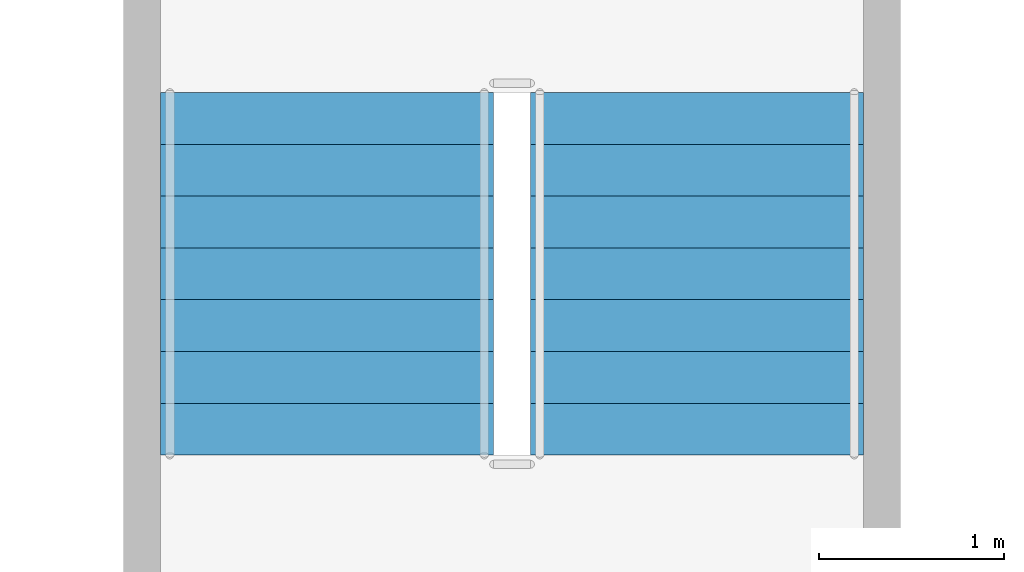
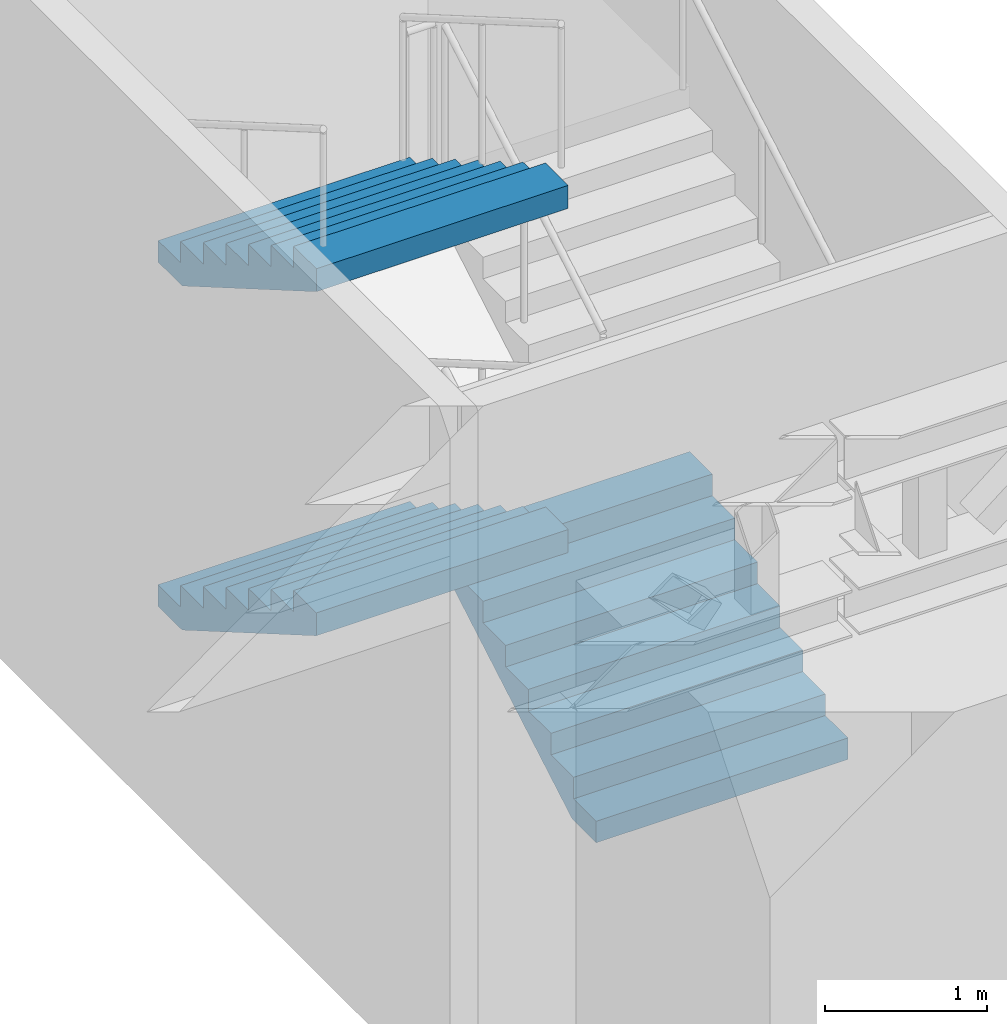
# One storey, part 74 of 93: 3 stair flights, 1 element without a shape of its own.
"""IFC4 building model written with IfcOpenShell, lengths in metres."""

from ifc_helpers import new_model, si_unit, direction, frame, origin, place, context, subcontext, project, spatial, polygons, material, type_object, element, aggregate, save


model = new_model("IFC4")

# Units and contexts
model_context = context("Model", 3, precision=1e-05, world=origin(), true_north=direction((0.0, 1.0)))
body_context = subcontext(model_context, "Body", "Model", "MODEL_VIEW")
ifc_project = project(units=[si_unit("LENGTHUNIT", "METRE"), si_unit("AREAUNIT", "SQUARE_METRE"), si_unit("VOLUMEUNIT", "CUBIC_METRE"), si_unit("PLANEANGLEUNIT", "RADIAN"), si_unit("MASSUNIT", "GRAM", prefix="KILO")], contexts=[model_context])

# Site, building, storey
site_placement = place(None, origin())
site = spatial("IfcSite", under=ifc_project, at=site_placement, CompositionType="ELEMENT")
building_placement = place(site_placement, origin())
building = spatial("IfcBuilding", under=site, at=building_placement, Name="Verrick Yard Athletic Hall", CompositionType="ELEMENT")
storey_placement = place(building_placement, frame((0.0, 0.0, 8.800048828125)))
storey = spatial("IfcBuildingStorey", under=building, at=storey_placement, Name="L02", CompositionType="ELEMENT", Elevation=8.800048828125)

# Stair, stair flights
ifc_material = material(Name="Concrete 35 MPa", Category="concrete")
stair_type = type_object("IfcStairType", Name="Stair ST4 1800 wide 32 risers", PredefinedType="HALF_TURN_STAIR", material=ifc_material)
stair_placement = place(storey_placement, origin())
stair = element("IfcStair", 1, at=stair_placement, inside=storey, type_object=stair_type, Name="North deck escape 2 stair L02", PredefinedType="HALF_TURN_STAIR")
stair_flight_type = type_object("IfcStairFlightType", Name="Stair flight SF4 1800 wide 8 risers", PredefinedType="STRAIGHT", material=ifc_material)
stair_flight_1_placement = place(storey_placement, frame((108.199951171875, 56.0, 0.0), z_axis=(0.0, 0.0, 1.0), x_axis=(0.0, 1.0, 0.0)))
stair_flight_1 = element("IfcStairFlight", 2, at=stair_flight_1_placement, type_object=stair_flight_type, Name="ST4 flight 1", NumberOfRisers=8, NumberOfTreads=7, PredefinedType="STRAIGHT", RiserHeight=0.1625, TreadLength=0.28, context=body_context, shape_type="Tessellation", body=[
    polygons([(0.2986404620805121, -0.89990234375, 0.0), (1.9600000000000002, -0.89990234375, 0.9641818746854172), (1.9600000000000002, -0.89990234375, 1.1375), (1.6800000000000002, -0.89990234375, 1.1375), (1.6800000000000002, -0.89990234375, 0.9750000000000001), (1.4000000000000001, -0.89990234375, 0.9750000000000001), (1.4000000000000001, -0.89990234375, 0.8125), (1.12, -0.89990234375, 0.8125), (1.12, -0.89990234375, 0.65), (0.8400000000000001, -0.89990234375, 0.65), (0.8400000000000001, -0.89990234375, 0.48750000000000004), (0.56, -0.89990234375, 0.48750000000000004), (0.56, -0.89990234375, 0.325), (0.28, -0.89990234375, 0.325), (0.28, -0.89990234375, 0.1625), (0.0, -0.89990234375, 0.1625), (0.0, -0.89990234375, 0.0), (0.2986404620805121, -0.179931640625, 0.0), (1.9600000000000002, -0.179931640625, 0.9641818746854172), (1.9600000000000002, -0.179931640625, 1.1375), (1.6800000000000002, -0.179931640625, 1.1375), (1.6800000000000002, -0.179931640625, 0.9750000000000001), (1.4000000000000001, -0.179931640625, 0.9750000000000001), (1.4000000000000001, -0.179931640625, 0.8125), (1.12, -0.179931640625, 0.8125), (1.12, -0.179931640625, 0.65), (0.8400000000000001, -0.179931640625, 0.65), (0.8400000000000001, -0.179931640625, 0.48750000000000004), (0.56, -0.179931640625, 0.48750000000000004), (0.56, -0.179931640625, 0.325), (0.28, -0.179931640625, 0.325), (0.28, -0.179931640625, 0.1625), (0.0, -0.179931640625, 0.1625), (0.0, -0.179931640625, 0.0), (0.2986404620805121, -0.1201171875, 0.0), (1.9600000000000002, -0.1201171875, 0.9641818746854172), (1.9600000000000002, -0.1201171875, 1.1375), (1.6800000000000002, -0.1201171875, 1.1375), (1.6800000000000002, -0.1201171875, 0.9750000000000001), (1.4000000000000001, -0.1201171875, 0.9750000000000001), (1.4000000000000001, -0.1201171875, 0.8125), (1.12, -0.1201171875, 0.8125), (1.12, -0.1201171875, 0.65), (0.8400000000000001, -0.1201171875, 0.65), (0.8400000000000001, -0.1201171875, 0.48750000000000004), (0.56, -0.1201171875, 0.48750000000000004), (0.56, -0.1201171875, 0.325), (0.28, -0.1201171875, 0.325), (0.28, -0.1201171875, 0.1625), (0.0, -0.1201171875, 0.1625), (0.0, -0.1201171875, 0.0), (0.2986404620805121, -0.06005859375, 0.0), (1.9600000000000002, -0.06005859375, 0.9641818746854172), (1.9600000000000002, -0.06005859375, 1.1375), (1.6800000000000002, -0.06005859375, 1.1375), (1.6800000000000002, -0.06005859375, 0.9750000000000001), (1.4000000000000001, -0.06005859375, 0.9750000000000001), (1.4000000000000001, -0.06005859375, 0.8125), (1.12, -0.06005859375, 0.8125), (1.12, -0.06005859375, 0.65), (0.8400000000000001, -0.06005859375, 0.65), (0.8400000000000001, -0.06005859375, 0.48750000000000004), (0.56, -0.06005859375, 0.48750000000000004), (0.56, -0.06005859375, 0.325), (0.28, -0.06005859375, 0.325), (0.28, -0.06005859375, 0.1625), (0.0, -0.06005859375, 0.1625), (0.0, -0.06005859375, 0.0), (0.2986404620805121, 0.0, 0.0), (1.9600000000000002, 0.0, 0.9641818746854172), (1.9600000000000002, 0.0, 1.1375), (1.6800000000000002, 0.0, 1.1375), (1.6800000000000002, 0.0, 0.9750000000000001), (1.4000000000000001, 0.0, 0.9750000000000001), (1.4000000000000001, 0.0, 0.8125), (1.12, 0.0, 0.8125), (1.12, 0.0, 0.65), (0.8400000000000001, 0.0, 0.65), (0.8400000000000001, 0.0, 0.48750000000000004), (0.56, 0.0, 0.48750000000000004), (0.56, 0.0, 0.325), (0.28, 0.0, 0.325), (0.28, 0.0, 0.1625), (0.0, 0.0, 0.1625), (0.0, 0.0, 0.0), (0.2986404620805121, 0.06005859375, 0.0), (1.9600000000000002, 0.06005859375, 0.9641818746854172), (1.9600000000000002, 0.06005859375, 1.1375), (1.6800000000000002, 0.06005859375, 1.1375), (1.6800000000000002, 0.06005859375, 0.9750000000000001), (1.4000000000000001, 0.06005859375, 0.9750000000000001), (1.4000000000000001, 0.06005859375, 0.8125), (1.12, 0.06005859375, 0.8125), (1.12, 0.06005859375, 0.65), (0.8400000000000001, 0.06005859375, 0.65), (0.8400000000000001, 0.06005859375, 0.48750000000000004), (0.56, 0.06005859375, 0.48750000000000004), (0.56, 0.06005859375, 0.325), (0.28, 0.06005859375, 0.325), (0.28, 0.06005859375, 0.1625), (0.0, 0.06005859375, 0.1625), (0.0, 0.06005859375, 0.0), (0.2986404620805121, 0.1201171875, 0.0), (1.9600000000000002, 0.1201171875, 0.9641818746854172), (1.9600000000000002, 0.1201171875, 1.1375), (1.6800000000000002, 0.1201171875, 1.1375), (1.6800000000000002, 0.1201171875, 0.9750000000000001), (1.4000000000000001, 0.1201171875, 0.9750000000000001), (1.4000000000000001, 0.1201171875, 0.8125), (1.12, 0.1201171875, 0.8125), (1.12, 0.1201171875, 0.65), (0.8400000000000001, 0.1201171875, 0.65), (0.8400000000000001, 0.1201171875, 0.48750000000000004), (0.56, 0.1201171875, 0.48750000000000004), (0.56, 0.1201171875, 0.325), (0.28, 0.1201171875, 0.325), (0.28, 0.1201171875, 0.1625), (0.0, 0.1201171875, 0.1625), (0.0, 0.1201171875, 0.0), (0.2986404620805121, 0.179931640625, 0.0), (1.9600000000000002, 0.179931640625, 0.9641818746854172), (1.9600000000000002, 0.179931640625, 1.1375), (1.6800000000000002, 0.179931640625, 1.1375), (1.6800000000000002, 0.179931640625, 0.9750000000000001), (1.4000000000000001, 0.179931640625, 0.9750000000000001), (1.4000000000000001, 0.179931640625, 0.8125), (1.12, 0.179931640625, 0.8125), (1.12, 0.179931640625, 0.65), (0.8400000000000001, 0.179931640625, 0.65), (0.8400000000000001, 0.179931640625, 0.48750000000000004), (0.56, 0.179931640625, 0.48750000000000004), (0.56, 0.179931640625, 0.325), (0.28, 0.179931640625, 0.325), (0.28, 0.179931640625, 0.1625), (0.0, 0.179931640625, 0.1625), (0.0, 0.179931640625, 0.0), (0.2986404620805121, 0.89990234375, 0.0), (1.9600000000000002, 0.89990234375, 0.9641818746854172), (1.9600000000000002, 0.89990234375, 1.1375), (1.6800000000000002, 0.89990234375, 1.1375), (1.6800000000000002, 0.89990234375, 0.9750000000000001), (1.4000000000000001, 0.89990234375, 0.9750000000000001), (1.4000000000000001, 0.89990234375, 0.8125), (1.12, 0.89990234375, 0.8125), (1.12, 0.89990234375, 0.65), (0.8400000000000001, 0.89990234375, 0.65), (0.8400000000000001, 0.89990234375, 0.48750000000000004), (0.56, 0.89990234375, 0.48750000000000004), (0.56, 0.89990234375, 0.325), (0.28, 0.89990234375, 0.325), (0.28, 0.89990234375, 0.1625), (0.0, 0.89990234375, 0.1625), (0.0, 0.89990234375, 0.0)], [[[1, 2, 3, 4, 5, 6, 7, 8, 9, 10, 11, 12, 13, 14, 15, 16, 17]], [[153, 152, 151, 150, 149, 148, 147, 146, 145, 144, 143, 142, 141, 140, 139, 138, 137]], [[1, 18, 19, 2]], [[2, 19, 20, 3]], [[3, 20, 21, 4]], [[4, 21, 22, 5]], [[5, 22, 23, 6]], [[6, 23, 24, 7]], [[7, 24, 25, 8]], [[8, 25, 26, 9]], [[9, 26, 27, 10]], [[10, 27, 28, 11]], [[11, 28, 29, 12]], [[12, 29, 30, 13]], [[13, 30, 31, 14]], [[14, 31, 32, 15]], [[15, 32, 33, 16]], [[16, 33, 34, 17]], [[17, 34, 18, 1]], [[18, 35, 36, 19]], [[19, 36, 37, 20]], [[20, 37, 38, 21]], [[21, 38, 39, 22]], [[22, 39, 40, 23]], [[23, 40, 41, 24]], [[24, 41, 42, 25]], [[25, 42, 43, 26]], [[26, 43, 44, 27]], [[27, 44, 45, 28]], [[28, 45, 46, 29]], [[29, 46, 47, 30]], [[30, 47, 48, 31]], [[31, 48, 49, 32]], [[32, 49, 50, 33]], [[33, 50, 51, 34]], [[34, 51, 35, 18]], [[35, 52, 53, 36]], [[36, 53, 54, 37]], [[37, 54, 55, 38]], [[38, 55, 56, 39]], [[39, 56, 57, 40]], [[40, 57, 58, 41]], [[41, 58, 59, 42]], [[42, 59, 60, 43]], [[43, 60, 61, 44]], [[44, 61, 62, 45]], [[45, 62, 63, 46]], [[46, 63, 64, 47]], [[47, 64, 65, 48]], [[48, 65, 66, 49]], [[49, 66, 67, 50]], [[50, 67, 68, 51]], [[51, 68, 52, 35]], [[52, 69, 70, 53]], [[53, 70, 71, 54]], [[54, 71, 72, 55]], [[55, 72, 73, 56]], [[56, 73, 74, 57]], [[57, 74, 75, 58]], [[58, 75, 76, 59]], [[59, 76, 77, 60]], [[60, 77, 78, 61]], [[61, 78, 79, 62]], [[62, 79, 80, 63]], [[63, 80, 81, 64]], [[64, 81, 82, 65]], [[65, 82, 83, 66]], [[66, 83, 84, 67]], [[67, 84, 85, 68]], [[68, 85, 69, 52]], [[69, 86, 87, 70]], [[70, 87, 88, 71]], [[71, 88, 89, 72]], [[72, 89, 90, 73]], [[73, 90, 91, 74]], [[74, 91, 92, 75]], [[75, 92, 93, 76]], [[76, 93, 94, 77]], [[77, 94, 95, 78]], [[78, 95, 96, 79]], [[79, 96, 97, 80]], [[80, 97, 98, 81]], [[81, 98, 99, 82]], [[82, 99, 100, 83]], [[83, 100, 101, 84]], [[84, 101, 102, 85]], [[85, 102, 86, 69]], [[86, 103, 104, 87]], [[87, 104, 105, 88]], [[88, 105, 106, 89]], [[89, 106, 107, 90]], [[90, 107, 108, 91]], [[91, 108, 109, 92]], [[92, 109, 110, 93]], [[93, 110, 111, 94]], [[94, 111, 112, 95]], [[95, 112, 113, 96]], [[96, 113, 114, 97]], [[97, 114, 115, 98]], [[98, 115, 116, 99]], [[99, 116, 117, 100]], [[100, 117, 118, 101]], [[101, 118, 119, 102]], [[102, 119, 103, 86]], [[103, 120, 121, 104]], [[104, 121, 122, 105]], [[105, 122, 123, 106]], [[106, 123, 124, 107]], [[107, 124, 125, 108]], [[108, 125, 126, 109]], [[109, 126, 127, 110]], [[110, 127, 128, 111]], [[111, 128, 129, 112]], [[112, 129, 130, 113]], [[113, 130, 131, 114]], [[114, 131, 132, 115]], [[115, 132, 133, 116]], [[116, 133, 134, 117]], [[117, 134, 135, 118]], [[118, 135, 136, 119]], [[119, 136, 120, 103]], [[120, 137, 138, 121]], [[121, 138, 139, 122]], [[122, 139, 140, 123]], [[123, 140, 141, 124]], [[124, 141, 142, 125]], [[125, 142, 143, 126]], [[126, 143, 144, 127]], [[127, 144, 145, 128]], [[128, 145, 146, 129]], [[129, 146, 147, 130]], [[130, 147, 148, 131]], [[131, 148, 149, 132]], [[132, 149, 150, 133]], [[133, 150, 151, 134]], [[134, 151, 152, 135]], [[135, 152, 153, 136]], [[136, 153, 137, 120]]], closed=True),
])
stair_flight_2_placement = place(storey_placement, frame((106.199951171875, 57.9599609375, 1.300048828125), z_axis=(0.0, 0.0, 1.0), x_axis=(0.0, -1.0, 0.0)))
stair_flight_2 = element("IfcStairFlight", 3, at=stair_flight_2_placement, type_object=stair_flight_type, Name="ST4 flight 2", NumberOfRisers=8, NumberOfTreads=7, PredefinedType="STRAIGHT", RiserHeight=0.1625, TreadLength=0.28, context=body_context, shape_type="Tessellation", body=[
    polygons([(0.2986404620805121, -0.89990234375, 0.0), (1.9600000000000002, -0.89990234375, 0.9641818746854172), (1.9600000000000002, -0.89990234375, 1.1375), (1.6800000000000002, -0.89990234375, 1.1375), (1.6800000000000002, -0.89990234375, 0.9750000000000001), (1.4000000000000001, -0.89990234375, 0.9750000000000001), (1.4000000000000001, -0.89990234375, 0.8125), (1.12, -0.89990234375, 0.8125), (1.12, -0.89990234375, 0.65), (0.8400000000000001, -0.89990234375, 0.65), (0.8400000000000001, -0.89990234375, 0.48750000000000004), (0.56, -0.89990234375, 0.48750000000000004), (0.56, -0.89990234375, 0.325), (0.28, -0.89990234375, 0.325), (0.28, -0.89990234375, 0.1625), (0.0, -0.89990234375, 0.1625), (0.0, -0.89990234375, 0.0), (0.2986404620805121, -0.179931640625, 0.0), (1.9600000000000002, -0.179931640625, 0.9641818746854172), (1.9600000000000002, -0.179931640625, 1.1375), (1.6800000000000002, -0.179931640625, 1.1375), (1.6800000000000002, -0.179931640625, 0.9750000000000001), (1.4000000000000001, -0.179931640625, 0.9750000000000001), (1.4000000000000001, -0.179931640625, 0.8125), (1.12, -0.179931640625, 0.8125), (1.12, -0.179931640625, 0.65), (0.8400000000000001, -0.179931640625, 0.65), (0.8400000000000001, -0.179931640625, 0.48750000000000004), (0.56, -0.179931640625, 0.48750000000000004), (0.56, -0.179931640625, 0.325), (0.28, -0.179931640625, 0.325), (0.28, -0.179931640625, 0.1625), (0.0, -0.179931640625, 0.1625), (0.0, -0.179931640625, 0.0), (0.2986404620805121, -0.1201171875, 0.0), (1.9600000000000002, -0.1201171875, 0.9641818746854172), (1.9600000000000002, -0.1201171875, 1.1375), (1.6800000000000002, -0.1201171875, 1.1375), (1.6800000000000002, -0.1201171875, 0.9750000000000001), (1.4000000000000001, -0.1201171875, 0.9750000000000001), (1.4000000000000001, -0.1201171875, 0.8125), (1.12, -0.1201171875, 0.8125), (1.12, -0.1201171875, 0.65), (0.8400000000000001, -0.1201171875, 0.65), (0.8400000000000001, -0.1201171875, 0.48750000000000004), (0.56, -0.1201171875, 0.48750000000000004), (0.56, -0.1201171875, 0.325), (0.28, -0.1201171875, 0.325), (0.28, -0.1201171875, 0.1625), (0.0, -0.1201171875, 0.1625), (0.0, -0.1201171875, 0.0), (0.2986404620805121, -0.06005859375, 0.0), (1.9600000000000002, -0.06005859375, 0.9641818746854172), (1.9600000000000002, -0.06005859375, 1.1375), (1.6800000000000002, -0.06005859375, 1.1375), (1.6800000000000002, -0.06005859375, 0.9750000000000001), (1.4000000000000001, -0.06005859375, 0.9750000000000001), (1.4000000000000001, -0.06005859375, 0.8125), (1.12, -0.06005859375, 0.8125), (1.12, -0.06005859375, 0.65), (0.8400000000000001, -0.06005859375, 0.65), (0.8400000000000001, -0.06005859375, 0.48750000000000004), (0.56, -0.06005859375, 0.48750000000000004), (0.56, -0.06005859375, 0.325), (0.28, -0.06005859375, 0.325), (0.28, -0.06005859375, 0.1625), (0.0, -0.06005859375, 0.1625), (0.0, -0.06005859375, 0.0), (0.2986404620805121, 0.0, 0.0), (1.9600000000000002, 0.0, 0.9641818746854172), (1.9600000000000002, 0.0, 1.1375), (1.6800000000000002, 0.0, 1.1375), (1.6800000000000002, 0.0, 0.9750000000000001), (1.4000000000000001, 0.0, 0.9750000000000001), (1.4000000000000001, 0.0, 0.8125), (1.12, 0.0, 0.8125), (1.12, 0.0, 0.65), (0.8400000000000001, 0.0, 0.65), (0.8400000000000001, 0.0, 0.48750000000000004), (0.56, 0.0, 0.48750000000000004), (0.56, 0.0, 0.325), (0.28, 0.0, 0.325), (0.28, 0.0, 0.1625), (0.0, 0.0, 0.1625), (0.0, 0.0, 0.0), (0.2986404620805121, 0.06005859375, 0.0), (1.9600000000000002, 0.06005859375, 0.9641818746854172), (1.9600000000000002, 0.06005859375, 1.1375), (1.6800000000000002, 0.06005859375, 1.1375), (1.6800000000000002, 0.06005859375, 0.9750000000000001), (1.4000000000000001, 0.06005859375, 0.9750000000000001), (1.4000000000000001, 0.06005859375, 0.8125), (1.12, 0.06005859375, 0.8125), (1.12, 0.06005859375, 0.65), (0.8400000000000001, 0.06005859375, 0.65), (0.8400000000000001, 0.06005859375, 0.48750000000000004), (0.56, 0.06005859375, 0.48750000000000004), (0.56, 0.06005859375, 0.325), (0.28, 0.06005859375, 0.325), (0.28, 0.06005859375, 0.1625), (0.0, 0.06005859375, 0.1625), (0.0, 0.06005859375, 0.0), (0.2986404620805121, 0.1201171875, 0.0), (1.9600000000000002, 0.1201171875, 0.9641818746854172), (1.9600000000000002, 0.1201171875, 1.1375), (1.6800000000000002, 0.1201171875, 1.1375), (1.6800000000000002, 0.1201171875, 0.9750000000000001), (1.4000000000000001, 0.1201171875, 0.9750000000000001), (1.4000000000000001, 0.1201171875, 0.8125), (1.12, 0.1201171875, 0.8125), (1.12, 0.1201171875, 0.65), (0.8400000000000001, 0.1201171875, 0.65), (0.8400000000000001, 0.1201171875, 0.48750000000000004), (0.56, 0.1201171875, 0.48750000000000004), (0.56, 0.1201171875, 0.325), (0.28, 0.1201171875, 0.325), (0.28, 0.1201171875, 0.1625), (0.0, 0.1201171875, 0.1625), (0.0, 0.1201171875, 0.0), (0.2986404620805121, 0.179931640625, 0.0), (1.9600000000000002, 0.179931640625, 0.9641818746854172), (1.9600000000000002, 0.179931640625, 1.1375), (1.6800000000000002, 0.179931640625, 1.1375), (1.6800000000000002, 0.179931640625, 0.9750000000000001), (1.4000000000000001, 0.179931640625, 0.9750000000000001), (1.4000000000000001, 0.179931640625, 0.8125), (1.12, 0.179931640625, 0.8125), (1.12, 0.179931640625, 0.65), (0.8400000000000001, 0.179931640625, 0.65), (0.8400000000000001, 0.179931640625, 0.48750000000000004), (0.56, 0.179931640625, 0.48750000000000004), (0.56, 0.179931640625, 0.325), (0.28, 0.179931640625, 0.325), (0.28, 0.179931640625, 0.1625), (0.0, 0.179931640625, 0.1625), (0.0, 0.179931640625, 0.0), (0.2986404620805121, 0.89990234375, 0.0), (1.9600000000000002, 0.89990234375, 0.9641818746854172), (1.9600000000000002, 0.89990234375, 1.1375), (1.6800000000000002, 0.89990234375, 1.1375), (1.6800000000000002, 0.89990234375, 0.9750000000000001), (1.4000000000000001, 0.89990234375, 0.9750000000000001), (1.4000000000000001, 0.89990234375, 0.8125), (1.12, 0.89990234375, 0.8125), (1.12, 0.89990234375, 0.65), (0.8400000000000001, 0.89990234375, 0.65), (0.8400000000000001, 0.89990234375, 0.48750000000000004), (0.56, 0.89990234375, 0.48750000000000004), (0.56, 0.89990234375, 0.325), (0.28, 0.89990234375, 0.325), (0.28, 0.89990234375, 0.1625), (0.0, 0.89990234375, 0.1625), (0.0, 0.89990234375, 0.0)], [[[1, 2, 3, 4, 5, 6, 7, 8, 9, 10, 11, 12, 13, 14, 15, 16, 17]], [[153, 152, 151, 150, 149, 148, 147, 146, 145, 144, 143, 142, 141, 140, 139, 138, 137]], [[1, 18, 19, 2]], [[2, 19, 20, 3]], [[3, 20, 21, 4]], [[4, 21, 22, 5]], [[5, 22, 23, 6]], [[6, 23, 24, 7]], [[7, 24, 25, 8]], [[8, 25, 26, 9]], [[9, 26, 27, 10]], [[10, 27, 28, 11]], [[11, 28, 29, 12]], [[12, 29, 30, 13]], [[13, 30, 31, 14]], [[14, 31, 32, 15]], [[15, 32, 33, 16]], [[16, 33, 34, 17]], [[17, 34, 18, 1]], [[18, 35, 36, 19]], [[19, 36, 37, 20]], [[20, 37, 38, 21]], [[21, 38, 39, 22]], [[22, 39, 40, 23]], [[23, 40, 41, 24]], [[24, 41, 42, 25]], [[25, 42, 43, 26]], [[26, 43, 44, 27]], [[27, 44, 45, 28]], [[28, 45, 46, 29]], [[29, 46, 47, 30]], [[30, 47, 48, 31]], [[31, 48, 49, 32]], [[32, 49, 50, 33]], [[33, 50, 51, 34]], [[34, 51, 35, 18]], [[35, 52, 53, 36]], [[36, 53, 54, 37]], [[37, 54, 55, 38]], [[38, 55, 56, 39]], [[39, 56, 57, 40]], [[40, 57, 58, 41]], [[41, 58, 59, 42]], [[42, 59, 60, 43]], [[43, 60, 61, 44]], [[44, 61, 62, 45]], [[45, 62, 63, 46]], [[46, 63, 64, 47]], [[47, 64, 65, 48]], [[48, 65, 66, 49]], [[49, 66, 67, 50]], [[50, 67, 68, 51]], [[51, 68, 52, 35]], [[52, 69, 70, 53]], [[53, 70, 71, 54]], [[54, 71, 72, 55]], [[55, 72, 73, 56]], [[56, 73, 74, 57]], [[57, 74, 75, 58]], [[58, 75, 76, 59]], [[59, 76, 77, 60]], [[60, 77, 78, 61]], [[61, 78, 79, 62]], [[62, 79, 80, 63]], [[63, 80, 81, 64]], [[64, 81, 82, 65]], [[65, 82, 83, 66]], [[66, 83, 84, 67]], [[67, 84, 85, 68]], [[68, 85, 69, 52]], [[69, 86, 87, 70]], [[70, 87, 88, 71]], [[71, 88, 89, 72]], [[72, 89, 90, 73]], [[73, 90, 91, 74]], [[74, 91, 92, 75]], [[75, 92, 93, 76]], [[76, 93, 94, 77]], [[77, 94, 95, 78]], [[78, 95, 96, 79]], [[79, 96, 97, 80]], [[80, 97, 98, 81]], [[81, 98, 99, 82]], [[82, 99, 100, 83]], [[83, 100, 101, 84]], [[84, 101, 102, 85]], [[85, 102, 86, 69]], [[86, 103, 104, 87]], [[87, 104, 105, 88]], [[88, 105, 106, 89]], [[89, 106, 107, 90]], [[90, 107, 108, 91]], [[91, 108, 109, 92]], [[92, 109, 110, 93]], [[93, 110, 111, 94]], [[94, 111, 112, 95]], [[95, 112, 113, 96]], [[96, 113, 114, 97]], [[97, 114, 115, 98]], [[98, 115, 116, 99]], [[99, 116, 117, 100]], [[100, 117, 118, 101]], [[101, 118, 119, 102]], [[102, 119, 103, 86]], [[103, 120, 121, 104]], [[104, 121, 122, 105]], [[105, 122, 123, 106]], [[106, 123, 124, 107]], [[107, 124, 125, 108]], [[108, 125, 126, 109]], [[109, 126, 127, 110]], [[110, 127, 128, 111]], [[111, 128, 129, 112]], [[112, 129, 130, 113]], [[113, 130, 131, 114]], [[114, 131, 132, 115]], [[115, 132, 133, 116]], [[116, 133, 134, 117]], [[117, 134, 135, 118]], [[118, 135, 136, 119]], [[119, 136, 120, 103]], [[120, 137, 138, 121]], [[121, 138, 139, 122]], [[122, 139, 140, 123]], [[123, 140, 141, 124]], [[124, 141, 142, 125]], [[125, 142, 143, 126]], [[126, 143, 144, 127]], [[127, 144, 145, 128]], [[128, 145, 146, 129]], [[129, 146, 147, 130]], [[130, 147, 148, 131]], [[131, 148, 149, 132]], [[132, 149, 150, 133]], [[133, 150, 151, 134]], [[134, 151, 152, 135]], [[135, 152, 153, 136]], [[136, 153, 137, 120]]], closed=True),
])
stair_flight_3_placement = place(storey_placement, frame((106.199951171875, 57.9599609375, 3.89990234375), z_axis=(0.0, 0.0, 1.0), x_axis=(0.0, -1.0, 0.0)))
stair_flight_3 = element("IfcStairFlight", 4, at=stair_flight_3_placement, type_object=stair_flight_type, Name="ST4 flight 4", NumberOfRisers=8, NumberOfTreads=7, PredefinedType="STRAIGHT", RiserHeight=0.1625, TreadLength=0.28, context=body_context, shape_type="Tessellation", body=[
    polygons([(0.2986404620805121, -0.89990234375, 0.0), (1.9600000000000002, -0.89990234375, 0.9641818746854172), (1.9600000000000002, -0.89990234375, 1.1375), (1.6800000000000002, -0.89990234375, 1.1375), (1.6800000000000002, -0.89990234375, 0.9750000000000001), (1.4000000000000001, -0.89990234375, 0.9750000000000001), (1.4000000000000001, -0.89990234375, 0.8125), (1.12, -0.89990234375, 0.8125), (1.12, -0.89990234375, 0.65), (0.8400000000000001, -0.89990234375, 0.65), (0.8400000000000001, -0.89990234375, 0.48750000000000004), (0.56, -0.89990234375, 0.48750000000000004), (0.56, -0.89990234375, 0.325), (0.28, -0.89990234375, 0.325), (0.28, -0.89990234375, 0.1625), (0.0, -0.89990234375, 0.1625), (0.0, -0.89990234375, 0.0), (0.2986404620805121, -0.179931640625, 0.0), (1.9600000000000002, -0.179931640625, 0.9641818746854172), (1.9600000000000002, -0.179931640625, 1.1375), (1.6800000000000002, -0.179931640625, 1.1375), (1.6800000000000002, -0.179931640625, 0.9750000000000001), (1.4000000000000001, -0.179931640625, 0.9750000000000001), (1.4000000000000001, -0.179931640625, 0.8125), (1.12, -0.179931640625, 0.8125), (1.12, -0.179931640625, 0.65), (0.8400000000000001, -0.179931640625, 0.65), (0.8400000000000001, -0.179931640625, 0.48750000000000004), (0.56, -0.179931640625, 0.48750000000000004), (0.56, -0.179931640625, 0.325), (0.28, -0.179931640625, 0.325), (0.28, -0.179931640625, 0.1625), (0.0, -0.179931640625, 0.1625), (0.0, -0.179931640625, 0.0), (0.2986404620805121, -0.1201171875, 0.0), (1.9600000000000002, -0.1201171875, 0.9641818746854172), (1.9600000000000002, -0.1201171875, 1.1375), (1.6800000000000002, -0.1201171875, 1.1375), (1.6800000000000002, -0.1201171875, 0.9750000000000001), (1.4000000000000001, -0.1201171875, 0.9750000000000001), (1.4000000000000001, -0.1201171875, 0.8125), (1.12, -0.1201171875, 0.8125), (1.12, -0.1201171875, 0.65), (0.8400000000000001, -0.1201171875, 0.65), (0.8400000000000001, -0.1201171875, 0.48750000000000004), (0.56, -0.1201171875, 0.48750000000000004), (0.56, -0.1201171875, 0.325), (0.28, -0.1201171875, 0.325), (0.28, -0.1201171875, 0.1625), (0.0, -0.1201171875, 0.1625), (0.0, -0.1201171875, 0.0), (0.2986404620805121, -0.06005859375, 0.0), (1.9600000000000002, -0.06005859375, 0.9641818746854172), (1.9600000000000002, -0.06005859375, 1.1375), (1.6800000000000002, -0.06005859375, 1.1375), (1.6800000000000002, -0.06005859375, 0.9750000000000001), (1.4000000000000001, -0.06005859375, 0.9750000000000001), (1.4000000000000001, -0.06005859375, 0.8125), (1.12, -0.06005859375, 0.8125), (1.12, -0.06005859375, 0.65), (0.8400000000000001, -0.06005859375, 0.65), (0.8400000000000001, -0.06005859375, 0.48750000000000004), (0.56, -0.06005859375, 0.48750000000000004), (0.56, -0.06005859375, 0.325), (0.28, -0.06005859375, 0.325), (0.28, -0.06005859375, 0.1625), (0.0, -0.06005859375, 0.1625), (0.0, -0.06005859375, 0.0), (0.2986404620805121, 0.0, 0.0), (1.9600000000000002, 0.0, 0.9641818746854172), (1.9600000000000002, 0.0, 1.1375), (1.6800000000000002, 0.0, 1.1375), (1.6800000000000002, 0.0, 0.9750000000000001), (1.4000000000000001, 0.0, 0.9750000000000001), (1.4000000000000001, 0.0, 0.8125), (1.12, 0.0, 0.8125), (1.12, 0.0, 0.65), (0.8400000000000001, 0.0, 0.65), (0.8400000000000001, 0.0, 0.48750000000000004), (0.56, 0.0, 0.48750000000000004), (0.56, 0.0, 0.325), (0.28, 0.0, 0.325), (0.28, 0.0, 0.1625), (0.0, 0.0, 0.1625), (0.0, 0.0, 0.0), (0.2986404620805121, 0.06005859375, 0.0), (1.9600000000000002, 0.06005859375, 0.9641818746854172), (1.9600000000000002, 0.06005859375, 1.1375), (1.6800000000000002, 0.06005859375, 1.1375), (1.6800000000000002, 0.06005859375, 0.9750000000000001), (1.4000000000000001, 0.06005859375, 0.9750000000000001), (1.4000000000000001, 0.06005859375, 0.8125), (1.12, 0.06005859375, 0.8125), (1.12, 0.06005859375, 0.65), (0.8400000000000001, 0.06005859375, 0.65), (0.8400000000000001, 0.06005859375, 0.48750000000000004), (0.56, 0.06005859375, 0.48750000000000004), (0.56, 0.06005859375, 0.325), (0.28, 0.06005859375, 0.325), (0.28, 0.06005859375, 0.1625), (0.0, 0.06005859375, 0.1625), (0.0, 0.06005859375, 0.0), (0.2986404620805121, 0.1201171875, 0.0), (1.9600000000000002, 0.1201171875, 0.9641818746854172), (1.9600000000000002, 0.1201171875, 1.1375), (1.6800000000000002, 0.1201171875, 1.1375), (1.6800000000000002, 0.1201171875, 0.9750000000000001), (1.4000000000000001, 0.1201171875, 0.9750000000000001), (1.4000000000000001, 0.1201171875, 0.8125), (1.12, 0.1201171875, 0.8125), (1.12, 0.1201171875, 0.65), (0.8400000000000001, 0.1201171875, 0.65), (0.8400000000000001, 0.1201171875, 0.48750000000000004), (0.56, 0.1201171875, 0.48750000000000004), (0.56, 0.1201171875, 0.325), (0.28, 0.1201171875, 0.325), (0.28, 0.1201171875, 0.1625), (0.0, 0.1201171875, 0.1625), (0.0, 0.1201171875, 0.0), (0.2986404620805121, 0.179931640625, 0.0), (1.9600000000000002, 0.179931640625, 0.9641818746854172), (1.9600000000000002, 0.179931640625, 1.1375), (1.6800000000000002, 0.179931640625, 1.1375), (1.6800000000000002, 0.179931640625, 0.9750000000000001), (1.4000000000000001, 0.179931640625, 0.9750000000000001), (1.4000000000000001, 0.179931640625, 0.8125), (1.12, 0.179931640625, 0.8125), (1.12, 0.179931640625, 0.65), (0.8400000000000001, 0.179931640625, 0.65), (0.8400000000000001, 0.179931640625, 0.48750000000000004), (0.56, 0.179931640625, 0.48750000000000004), (0.56, 0.179931640625, 0.325), (0.28, 0.179931640625, 0.325), (0.28, 0.179931640625, 0.1625), (0.0, 0.179931640625, 0.1625), (0.0, 0.179931640625, 0.0), (0.2986404620805121, 0.89990234375, 0.0), (1.9600000000000002, 0.89990234375, 0.9641818746854172), (1.9600000000000002, 0.89990234375, 1.1375), (1.6800000000000002, 0.89990234375, 1.1375), (1.6800000000000002, 0.89990234375, 0.9750000000000001), (1.4000000000000001, 0.89990234375, 0.9750000000000001), (1.4000000000000001, 0.89990234375, 0.8125), (1.12, 0.89990234375, 0.8125), (1.12, 0.89990234375, 0.65), (0.8400000000000001, 0.89990234375, 0.65), (0.8400000000000001, 0.89990234375, 0.48750000000000004), (0.56, 0.89990234375, 0.48750000000000004), (0.56, 0.89990234375, 0.325), (0.28, 0.89990234375, 0.325), (0.28, 0.89990234375, 0.1625), (0.0, 0.89990234375, 0.1625), (0.0, 0.89990234375, 0.0)], [[[1, 2, 3, 4, 5, 6, 7, 8, 9, 10, 11, 12, 13, 14, 15, 16, 17]], [[153, 152, 151, 150, 149, 148, 147, 146, 145, 144, 143, 142, 141, 140, 139, 138, 137]], [[1, 18, 19, 2]], [[2, 19, 20, 3]], [[3, 20, 21, 4]], [[4, 21, 22, 5]], [[5, 22, 23, 6]], [[6, 23, 24, 7]], [[7, 24, 25, 8]], [[8, 25, 26, 9]], [[9, 26, 27, 10]], [[10, 27, 28, 11]], [[11, 28, 29, 12]], [[12, 29, 30, 13]], [[13, 30, 31, 14]], [[14, 31, 32, 15]], [[15, 32, 33, 16]], [[16, 33, 34, 17]], [[17, 34, 18, 1]], [[18, 35, 36, 19]], [[19, 36, 37, 20]], [[20, 37, 38, 21]], [[21, 38, 39, 22]], [[22, 39, 40, 23]], [[23, 40, 41, 24]], [[24, 41, 42, 25]], [[25, 42, 43, 26]], [[26, 43, 44, 27]], [[27, 44, 45, 28]], [[28, 45, 46, 29]], [[29, 46, 47, 30]], [[30, 47, 48, 31]], [[31, 48, 49, 32]], [[32, 49, 50, 33]], [[33, 50, 51, 34]], [[34, 51, 35, 18]], [[35, 52, 53, 36]], [[36, 53, 54, 37]], [[37, 54, 55, 38]], [[38, 55, 56, 39]], [[39, 56, 57, 40]], [[40, 57, 58, 41]], [[41, 58, 59, 42]], [[42, 59, 60, 43]], [[43, 60, 61, 44]], [[44, 61, 62, 45]], [[45, 62, 63, 46]], [[46, 63, 64, 47]], [[47, 64, 65, 48]], [[48, 65, 66, 49]], [[49, 66, 67, 50]], [[50, 67, 68, 51]], [[51, 68, 52, 35]], [[52, 69, 70, 53]], [[53, 70, 71, 54]], [[54, 71, 72, 55]], [[55, 72, 73, 56]], [[56, 73, 74, 57]], [[57, 74, 75, 58]], [[58, 75, 76, 59]], [[59, 76, 77, 60]], [[60, 77, 78, 61]], [[61, 78, 79, 62]], [[62, 79, 80, 63]], [[63, 80, 81, 64]], [[64, 81, 82, 65]], [[65, 82, 83, 66]], [[66, 83, 84, 67]], [[67, 84, 85, 68]], [[68, 85, 69, 52]], [[69, 86, 87, 70]], [[70, 87, 88, 71]], [[71, 88, 89, 72]], [[72, 89, 90, 73]], [[73, 90, 91, 74]], [[74, 91, 92, 75]], [[75, 92, 93, 76]], [[76, 93, 94, 77]], [[77, 94, 95, 78]], [[78, 95, 96, 79]], [[79, 96, 97, 80]], [[80, 97, 98, 81]], [[81, 98, 99, 82]], [[82, 99, 100, 83]], [[83, 100, 101, 84]], [[84, 101, 102, 85]], [[85, 102, 86, 69]], [[86, 103, 104, 87]], [[87, 104, 105, 88]], [[88, 105, 106, 89]], [[89, 106, 107, 90]], [[90, 107, 108, 91]], [[91, 108, 109, 92]], [[92, 109, 110, 93]], [[93, 110, 111, 94]], [[94, 111, 112, 95]], [[95, 112, 113, 96]], [[96, 113, 114, 97]], [[97, 114, 115, 98]], [[98, 115, 116, 99]], [[99, 116, 117, 100]], [[100, 117, 118, 101]], [[101, 118, 119, 102]], [[102, 119, 103, 86]], [[103, 120, 121, 104]], [[104, 121, 122, 105]], [[105, 122, 123, 106]], [[106, 123, 124, 107]], [[107, 124, 125, 108]], [[108, 125, 126, 109]], [[109, 126, 127, 110]], [[110, 127, 128, 111]], [[111, 128, 129, 112]], [[112, 129, 130, 113]], [[113, 130, 131, 114]], [[114, 131, 132, 115]], [[115, 132, 133, 116]], [[116, 133, 134, 117]], [[117, 134, 135, 118]], [[118, 135, 136, 119]], [[119, 136, 120, 103]], [[120, 137, 138, 121]], [[121, 138, 139, 122]], [[122, 139, 140, 123]], [[123, 140, 141, 124]], [[124, 141, 142, 125]], [[125, 142, 143, 126]], [[126, 143, 144, 127]], [[127, 144, 145, 128]], [[128, 145, 146, 129]], [[129, 146, 147, 130]], [[130, 147, 148, 131]], [[131, 148, 149, 132]], [[132, 149, 150, 133]], [[133, 150, 151, 134]], [[134, 151, 152, 135]], [[135, 152, 153, 136]], [[136, 153, 137, 120]]], closed=True),
])
aggregate(stair, [stair_flight_1, stair_flight_2, stair_flight_3])

save(model, "model.ifc")
